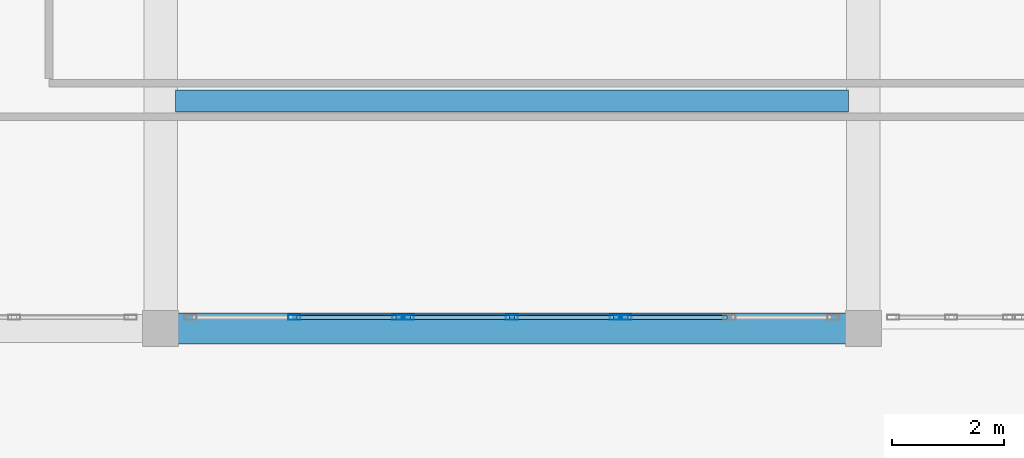
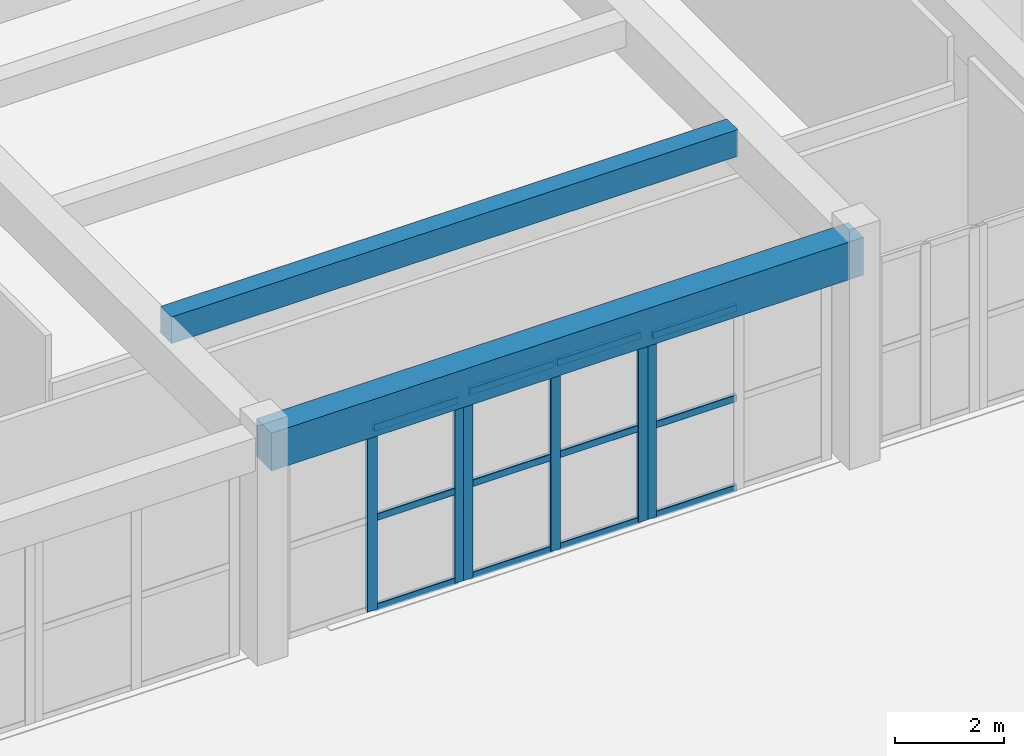
# One storey, part 27 of 98: 18 members, 2 beams, 3 elements without a shape of their own.
"""IFC4 building model written with IfcOpenShell, lengths in metres."""

from ifc_helpers import new_model, si_unit, direction, frame, origin, origin_2d, place, context, subcontext, project, spatial, rectangle, hollow_rectangle, extrude, material, layer, layer_set, material_profile, profile_set, type_object, element, aggregate, save


model = new_model("IFC4")

# Units and contexts
model_context = context("Model", 3, precision=1e-05, world=origin(), true_north=direction((0.0, 1.0)))
body_context = subcontext(model_context, "Body", "Model", "MODEL_VIEW")
ifc_project = project(units=[si_unit("LENGTHUNIT", "METRE"), si_unit("AREAUNIT", "SQUARE_METRE"), si_unit("VOLUMEUNIT", "CUBIC_METRE"), si_unit("PLANEANGLEUNIT", "RADIAN"), si_unit("MASSUNIT", "GRAM", prefix="KILO")], contexts=[model_context])

# Site, building, storey
site_placement = place(None, origin())
site = spatial("IfcSite", under=ifc_project, at=site_placement, CompositionType="ELEMENT")
building_placement = place(site_placement, origin())
building = spatial("IfcBuilding", under=site, at=building_placement, Name="Tarnavel Promenade Courthouse", CompositionType="ELEMENT")
storey_placement = place(building_placement, origin())
storey = spatial("IfcBuildingStorey", under=building, at=storey_placement, Name="L01", CompositionType="ELEMENT", Elevation=0.0)

# Beams
ifc_material_1 = material(Name="Concrete C40/50", Category="concrete")
ifc_material_profile_1 = material_profile(ifc_material_1, rectangle(XDim=0.39990234375, YDim=0.60009765625, at=origin_2d()), Name="PT 400x600")
ifc_profile_set_1 = profile_set([ifc_material_profile_1], Name="Concrete C40/50")
beam_type_1 = type_object("IfcBeamType", Name="Concrete C40/50 BM-PT-400x600 (PT 400x600)", PredefinedType="JOIST", material=ifc_profile_set_1)
beam_1_placement = place(storey_placement, frame((102.27001953125, 50.8798828125, 4.794921875), z_axis=(1.0, 0.0, 0.0), x_axis=(0.0, 1.0, 0.0)))
element("IfcBeam", 1, at=beam_1_placement, inside=storey, type_object=beam_type_1, Name="L01 Secondary Floor Rib 0996", PredefinedType="JOIST", context=body_context, shape_type="SweptSolid", body=[
    extrude(rectangle(XDim=0.39990234375, YDim=0.60009765625, at=origin_2d()), origin(), (0.0, 0.0, 1.0), 12.06005859375),
])
ifc_material_profile_2 = material_profile(ifc_material_1, rectangle(XDim=0.550048828125, YDim=0.85009765625, at=origin_2d()), Name="PT 550x850")
ifc_profile_set_2 = profile_set([ifc_material_profile_2], Name="Concrete C40/50")
beam_type_2 = type_object("IfcBeamType", Name="Concrete C40/50 BM-PT-550x850 (PT 550x850)", PredefinedType="T_BEAM", material=ifc_profile_set_2)
beam_2_placement = place(storey_placement, frame((102.0, 46.800048828125, 4.669921875), z_axis=(1.0, 0.0, 0.0), x_axis=(0.0, 1.0, 0.0)))
element("IfcBeam", 2, at=beam_2_placement, inside=storey, type_object=beam_type_2, Name="L01 Primary Longitudinal Beam 0625", PredefinedType="T_BEAM", context=body_context, shape_type="SweptSolid", body=[
    extrude(rectangle(XDim=0.550048828125, YDim=0.85009765625, at=origin_2d()), origin(), (0.0, 0.0, 1.0), 12.60009765625),
])

# Curtain wall, members
ifc_material_2 = material(Name="Thermally Broken Anodised Aluminium Curtain Wall System", Category="aluminium")
ifc_layer = layer(ifc_material_2, 0.239990234375)
ifc_layer_set = layer_set([ifc_layer], Name="Thermally Broken Anodised Aluminium Curtain Wall System")
curtain_wall_type = type_object("IfcCurtainWallType", Name="Thermally Broken Aluminium Triple-Glazed Curtain Wall CW-WG-S", PredefinedType="NOTDEFINED", material=ifc_layer_set)
curtain_wall_1_placement = place(storey_placement, origin())
curtain_wall_1 = element("IfcCurtainWall", 3, at=curtain_wall_1_placement, inside=storey, type_object=curtain_wall_type, Name="L01 Winter-Garden South Solar Curtain Wall 057", PredefinedType="NOTDEFINED")
ifc_material_3 = material(Name="Thermally Broken Anodised Aluminium Frame", Category="aluminium")
ifc_material_profile_3 = material_profile(ifc_material_3, hollow_rectangle(XDim=0.090087890625, YDim=0.219970703125, WallThickness=0.0048828125, InnerFilletRadius=0.0048828125, OuterFilletRadius=0.010009765625, at=origin_2d()), Name="CWM 220x90x5")
ifc_profile_set_3 = profile_set([ifc_material_profile_3], Name="Thermally Broken Anodised Aluminium Frame")
member_type_1 = type_object("IfcMemberType", Name="Thermally Broken Anodised Aluminium CWM-175 (CWM 220x90x5)", PredefinedType="MULLION", material=ifc_profile_set_3)
member_1_placement = place(storey_placement, frame((104.39990234375, 47.0, 0.0), z_axis=(0.0, 0.0, 1.0), x_axis=(0.0, 1.0, 0.0)))
member_1 = element("IfcMember", 4, at=member_1_placement, type_object=member_type_1, Name="CW-02 mullion 2", PredefinedType="MULLION", context=body_context, shape_type="SweptSolid", body=[
    extrude(hollow_rectangle(XDim=0.090087890625, YDim=0.219970703125, WallThickness=0.0048828125, InnerFilletRadius=0.0048828125, OuterFilletRadius=0.010009765625, at=origin_2d()), origin(), (0.0, 0.0, 1.0), 4.1298828125),
])
member_2_placement = place(storey_placement, frame((106.264892578125, 47.0, 0.0), z_axis=(0.0, 0.0, 1.0), x_axis=(0.0, 1.0, 0.0)))
member_2 = element("IfcMember", 5, at=member_2_placement, type_object=member_type_1, Name="CW-02 mullion 3", PredefinedType="MULLION", context=body_context, shape_type="SweptSolid", body=[
    extrude(hollow_rectangle(XDim=0.090087890625, YDim=0.219970703125, WallThickness=0.0048828125, InnerFilletRadius=0.0048828125, OuterFilletRadius=0.010009765625, at=origin_2d()), origin(), (0.0, 0.0, 1.0), 4.1298828125),
])

curtain_wall_2_placement = place(storey_placement, origin())
curtain_wall_2 = element("IfcCurtainWall", 6, at=curtain_wall_2_placement, inside=storey, type_object=curtain_wall_type, Name="L01 Winter-Garden South Solar Curtain Wall 058", PredefinedType="NOTDEFINED")
member_3_placement = place(storey_placement, frame((106.43505859375, 47.0, 0.0), z_axis=(0.0, 0.0, 1.0), x_axis=(0.0, 1.0, 0.0)))
member_3 = element("IfcMember", 7, at=member_3_placement, type_object=member_type_1, Name="CW-02 mullion 1", PredefinedType="MULLION", context=body_context, shape_type="SweptSolid", body=[
    extrude(hollow_rectangle(XDim=0.090087890625, YDim=0.219970703125, WallThickness=0.0048828125, InnerFilletRadius=0.0048828125, OuterFilletRadius=0.010009765625, at=origin_2d()), origin(), (0.0, 0.0, 1.0), 4.22998046875),
])
member_4_placement = place(storey_placement, frame((108.300048828125, 47.0, 0.0), z_axis=(0.0, 0.0, 1.0), x_axis=(0.0, 1.0, 0.0)))
member_4 = element("IfcMember", 8, at=member_4_placement, type_object=member_type_1, Name="CW-02 mullion 2", PredefinedType="MULLION", context=body_context, shape_type="SweptSolid", body=[
    extrude(hollow_rectangle(XDim=0.090087890625, YDim=0.219970703125, WallThickness=0.0048828125, InnerFilletRadius=0.0048828125, OuterFilletRadius=0.010009765625, at=origin_2d()), origin(), (0.0, 0.0, 1.0), 4.22998046875),
])
member_5_placement = place(storey_placement, frame((110.1650390625, 47.0, 0.0), z_axis=(0.0, 0.0, 1.0), x_axis=(0.0, 1.0, 0.0)))
member_5 = element("IfcMember", 9, at=member_5_placement, type_object=member_type_1, Name="CW-02 mullion 3", PredefinedType="MULLION", context=body_context, shape_type="SweptSolid", body=[
    extrude(hollow_rectangle(XDim=0.090087890625, YDim=0.219970703125, WallThickness=0.0048828125, InnerFilletRadius=0.0048828125, OuterFilletRadius=0.010009765625, at=origin_2d()), origin(), (0.0, 0.0, 1.0), 4.22998046875),
])

# Curtain wall, member
curtain_wall_3_placement = place(storey_placement, origin())
curtain_wall_3 = element("IfcCurtainWall", 10, at=curtain_wall_3_placement, inside=storey, type_object=curtain_wall_type, Name="L01 Winter-Garden South Solar Curtain Wall 059", PredefinedType="NOTDEFINED")
member_6_placement = place(storey_placement, frame((110.3349609375, 47.0, 0.0), z_axis=(0.0, 0.0, 1.0), x_axis=(0.0, 1.0, 0.0)))
member_6 = element("IfcMember", 11, at=member_6_placement, type_object=member_type_1, Name="CW-02 mullion 1", PredefinedType="MULLION", context=body_context, shape_type="SweptSolid", body=[
    extrude(hollow_rectangle(XDim=0.090087890625, YDim=0.219970703125, WallThickness=0.0048828125, InnerFilletRadius=0.0048828125, OuterFilletRadius=0.010009765625, at=origin_2d()), origin(), (0.0, 0.0, 1.0), 4.1298828125),
])

# Member
ifc_material_profile_4 = material_profile(ifc_material_3, hollow_rectangle(XDim=0.080078125, YDim=0.159912109375, WallThickness=0.0048828125, InnerFilletRadius=0.0048828125, OuterFilletRadius=0.010009765625, at=origin_2d()), Name="CWT 160x80x5")
ifc_profile_set_4 = profile_set([ifc_material_profile_4], Name="Thermally Broken Anodised Aluminium Frame")
member_type_2 = type_object("IfcMemberType", Name="Thermally Broken Anodised Aluminium CWT-145 (CWT 160x80x5)", PredefinedType="USERDEFINED", material=ifc_profile_set_4)
member_7_placement = place(storey_placement, frame((104.445068359375, 47.0, 0.0400390625), z_axis=(1.0, 0.0, 0.0), x_axis=(0.0, 1.0, 0.0)))
member_7 = element("IfcMember", 12, at=member_7_placement, type_object=member_type_2, Name="CW-02 transom 2.1", ObjectType="TRANSOM", PredefinedType="USERDEFINED", context=body_context, shape_type="SweptSolid", body=[
    extrude(hollow_rectangle(XDim=0.080078125, YDim=0.159912109375, WallThickness=0.0048828125, InnerFilletRadius=0.0048828125, OuterFilletRadius=0.010009765625, at=origin_2d()), origin(), (0.0, 0.0, 1.0), 1.77490234375),
])

member_8_placement = place(storey_placement, frame((104.445068359375, 47.0, 2.06494140625), z_axis=(1.0, 0.0, 0.0), x_axis=(0.0, 1.0, 0.0)))
member_8 = element("IfcMember", 13, at=member_8_placement, type_object=member_type_2, Name="CW-02 transom 2.2", ObjectType="TRANSOM", PredefinedType="USERDEFINED", context=body_context, shape_type="SweptSolid", body=[
    extrude(hollow_rectangle(XDim=0.080078125, YDim=0.159912109375, WallThickness=0.0048828125, InnerFilletRadius=0.0048828125, OuterFilletRadius=0.010009765625, at=origin_2d()), origin(), (0.0, 0.0, 1.0), 1.77490234375),
])

member_9_placement = place(storey_placement, frame((104.445068359375, 47.0, 4.090087890625), z_axis=(1.0, 0.0, 0.0), x_axis=(0.0, 1.0, 0.0)))
member_9 = element("IfcMember", 14, at=member_9_placement, type_object=member_type_2, Name="CW-02 transom 2.3", ObjectType="TRANSOM", PredefinedType="USERDEFINED", context=body_context, shape_type="SweptSolid", body=[
    extrude(hollow_rectangle(XDim=0.080078125, YDim=0.159912109375, WallThickness=0.0048828125, InnerFilletRadius=0.0048828125, OuterFilletRadius=0.010009765625, at=origin_2d()), origin(), (0.0, 0.0, 1.0), 1.77490234375),
])

aggregate(curtain_wall_1, [member_1, member_2, member_7, member_8, member_9])

member_10_placement = place(storey_placement, frame((106.47998046875, 47.0, 0.0400390625), z_axis=(1.0, 0.0, 0.0), x_axis=(0.0, 1.0, 0.0)))
member_10 = element("IfcMember", 15, at=member_10_placement, type_object=member_type_2, Name="CW-02 transom 1.1", ObjectType="TRANSOM", PredefinedType="USERDEFINED", context=body_context, shape_type="SweptSolid", body=[
    extrude(hollow_rectangle(XDim=0.080078125, YDim=0.159912109375, WallThickness=0.0048828125, InnerFilletRadius=0.0048828125, OuterFilletRadius=0.010009765625, at=origin_2d()), origin(), (0.0, 0.0, 1.0), 1.77490234375),
])

member_11_placement = place(storey_placement, frame((106.47998046875, 47.0, 2.114990234375), z_axis=(1.0, 0.0, 0.0), x_axis=(0.0, 1.0, 0.0)))
member_11 = element("IfcMember", 16, at=member_11_placement, type_object=member_type_2, Name="CW-02 transom 1.2", ObjectType="TRANSOM", PredefinedType="USERDEFINED", context=body_context, shape_type="SweptSolid", body=[
    extrude(hollow_rectangle(XDim=0.080078125, YDim=0.159912109375, WallThickness=0.0048828125, InnerFilletRadius=0.0048828125, OuterFilletRadius=0.010009765625, at=origin_2d()), origin(), (0.0, 0.0, 1.0), 1.77490234375),
])

member_12_placement = place(storey_placement, frame((106.47998046875, 47.0, 4.18994140625), z_axis=(1.0, 0.0, 0.0), x_axis=(0.0, 1.0, 0.0)))
member_12 = element("IfcMember", 17, at=member_12_placement, type_object=member_type_2, Name="CW-02 transom 1.3", ObjectType="TRANSOM", PredefinedType="USERDEFINED", context=body_context, shape_type="SweptSolid", body=[
    extrude(hollow_rectangle(XDim=0.080078125, YDim=0.159912109375, WallThickness=0.0048828125, InnerFilletRadius=0.0048828125, OuterFilletRadius=0.010009765625, at=origin_2d()), origin(), (0.0, 0.0, 1.0), 1.77490234375),
])

member_13_placement = place(storey_placement, frame((108.344970703125, 47.0, 0.0400390625), z_axis=(1.0, 0.0, 0.0), x_axis=(0.0, 1.0, 0.0)))
member_13 = element("IfcMember", 18, at=member_13_placement, type_object=member_type_2, Name="CW-02 transom 2.1", ObjectType="TRANSOM", PredefinedType="USERDEFINED", context=body_context, shape_type="SweptSolid", body=[
    extrude(hollow_rectangle(XDim=0.080078125, YDim=0.159912109375, WallThickness=0.0048828125, InnerFilletRadius=0.0048828125, OuterFilletRadius=0.010009765625, at=origin_2d()), origin(), (0.0, 0.0, 1.0), 1.775146484375),
])

member_14_placement = place(storey_placement, frame((108.344970703125, 47.0, 2.114990234375), z_axis=(1.0, 0.0, 0.0), x_axis=(0.0, 1.0, 0.0)))
member_14 = element("IfcMember", 19, at=member_14_placement, type_object=member_type_2, Name="CW-02 transom 2.2", ObjectType="TRANSOM", PredefinedType="USERDEFINED", context=body_context, shape_type="SweptSolid", body=[
    extrude(hollow_rectangle(XDim=0.080078125, YDim=0.159912109375, WallThickness=0.0048828125, InnerFilletRadius=0.0048828125, OuterFilletRadius=0.010009765625, at=origin_2d()), origin(), (0.0, 0.0, 1.0), 1.775146484375),
])

member_15_placement = place(storey_placement, frame((108.344970703125, 47.0, 4.18994140625), z_axis=(1.0, 0.0, 0.0), x_axis=(0.0, 1.0, 0.0)))
member_15 = element("IfcMember", 20, at=member_15_placement, type_object=member_type_2, Name="CW-02 transom 2.3", ObjectType="TRANSOM", PredefinedType="USERDEFINED", context=body_context, shape_type="SweptSolid", body=[
    extrude(hollow_rectangle(XDim=0.080078125, YDim=0.159912109375, WallThickness=0.0048828125, InnerFilletRadius=0.0048828125, OuterFilletRadius=0.010009765625, at=origin_2d()), origin(), (0.0, 0.0, 1.0), 1.775146484375),
])

aggregate(curtain_wall_2, [member_3, member_4, member_5, member_10, member_11, member_12, member_13, member_14, member_15])

member_16_placement = place(storey_placement, frame((110.3798828125, 47.0, 0.0400390625), z_axis=(1.0, 0.0, 0.0), x_axis=(0.0, 1.0, 0.0)))
member_16 = element("IfcMember", 21, at=member_16_placement, type_object=member_type_2, Name="CW-02 transom 1.1", ObjectType="TRANSOM", PredefinedType="USERDEFINED", context=body_context, shape_type="SweptSolid", body=[
    extrude(hollow_rectangle(XDim=0.080078125, YDim=0.159912109375, WallThickness=0.0048828125, InnerFilletRadius=0.0048828125, OuterFilletRadius=0.010009765625, at=origin_2d()), origin(), (0.0, 0.0, 1.0), 1.775146484375),
])

member_17_placement = place(storey_placement, frame((110.3798828125, 47.0, 2.06494140625), z_axis=(1.0, 0.0, 0.0), x_axis=(0.0, 1.0, 0.0)))
member_17 = element("IfcMember", 22, at=member_17_placement, type_object=member_type_2, Name="CW-02 transom 1.2", ObjectType="TRANSOM", PredefinedType="USERDEFINED", context=body_context, shape_type="SweptSolid", body=[
    extrude(hollow_rectangle(XDim=0.080078125, YDim=0.159912109375, WallThickness=0.0048828125, InnerFilletRadius=0.0048828125, OuterFilletRadius=0.010009765625, at=origin_2d()), origin(), (0.0, 0.0, 1.0), 1.775146484375),
])

member_18_placement = place(storey_placement, frame((110.3798828125, 47.0, 4.090087890625), z_axis=(1.0, 0.0, 0.0), x_axis=(0.0, 1.0, 0.0)))
member_18 = element("IfcMember", 23, at=member_18_placement, type_object=member_type_2, Name="CW-02 transom 1.3", ObjectType="TRANSOM", PredefinedType="USERDEFINED", context=body_context, shape_type="SweptSolid", body=[
    extrude(hollow_rectangle(XDim=0.080078125, YDim=0.159912109375, WallThickness=0.0048828125, InnerFilletRadius=0.0048828125, OuterFilletRadius=0.010009765625, at=origin_2d()), origin(), (0.0, 0.0, 1.0), 1.775146484375),
])

aggregate(curtain_wall_3, [member_6, member_16, member_17, member_18])

save(model, "model.ifc")
